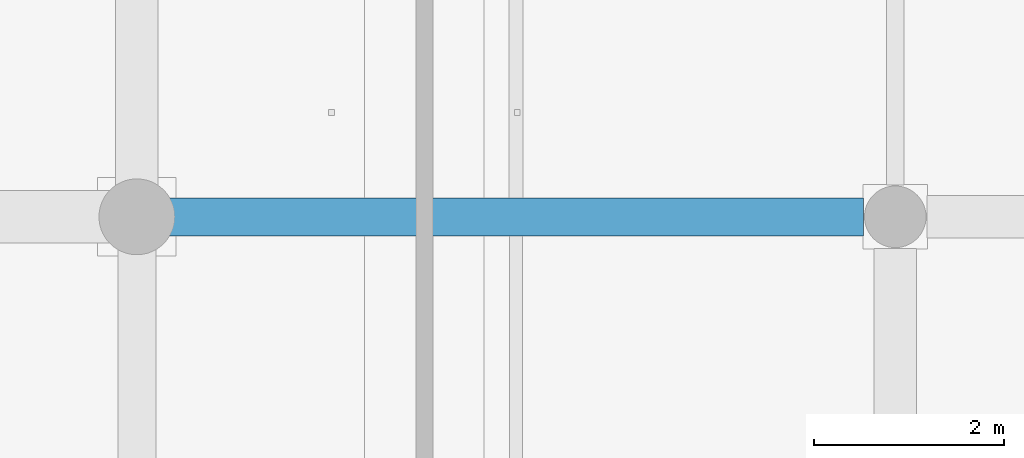
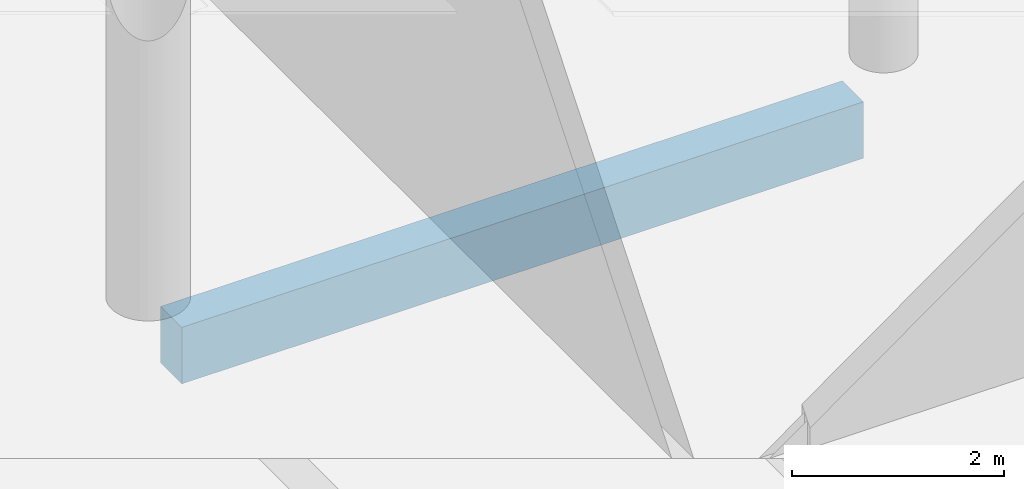
# One storey, part 36 of 126: 1 beam.
"""IFC4 building model written with IfcOpenShell, lengths in metres."""

import ifcopenshell
import ifcopenshell.guid

model = None  # the IFC model being written
_history = None  # IfcOwnerHistory: only IFC2X3 demands one
_inside = {}  # id of a spatial element -> (the spatial element, [elements in it])
_under = {}  # id of a project, library or spatial element -> (it, [spatial elements below it])
_declared = {}  # id of a project -> (the project, [libraries it declares])
_typed = {}  # id of a type object -> (the type object, [elements of that type])
_made_of = {}  # id of a material, layer set ... -> (it, [elements and type objects made of it])


def new_model(schema):
    """Start an empty IFC model of exactly this schema.

    Asked for "IFC4X3", IfcOpenShell would pick the latest addendum, in which some entities
    have other attributes; the version numbers below select the first issue.
    IFC2X3 requires an IfcOwnerHistory on every rooted entity: one is made here for all.
    """
    global model, _history
    if schema == "IFC4X3":
        model = ifcopenshell.file(schema_version=(4, 3, 0, 0))
    else:
        model = ifcopenshell.file(schema=schema)
    _inside.clear()
    _under.clear()
    _declared.clear()
    _typed.clear()
    _made_of.clear()
    _history = None
    if model.schema == "IFC2X3":
        org = make("IfcOrganization", Name="unknown")
        user = make(
            "IfcPersonAndOrganization",
            ThePerson=make("IfcPerson", FamilyName="unknown"),
            TheOrganization=org,
        )
        app = make(
            "IfcApplication",
            ApplicationDeveloper=org,
            Version="unknown",
            ApplicationFullName="unknown",
            ApplicationIdentifier="unknown",
        )
        _history = make(
            "IfcOwnerHistory",
            OwningUser=user,
            OwningApplication=app,
            ChangeAction="ADDED",
            CreationDate=0,
        )
    return model


def make(cls, **values):
    """One entity of the class cls with the attributes given. An attribute that is None is left unset."""
    return model.create_entity(
        cls, **{name: value for name, value in values.items() if value is not None}
    )


def rooted(cls, **values):
    """An entity with a GlobalId (a new one), such as an element, a storey or a relation."""
    return make(cls, GlobalId=ifcopenshell.guid.new(), OwnerHistory=_history, **values)


def si_unit(unit_type, name, prefix=None):
    """IfcSIUnit, for example si_unit("LENGTHUNIT", "METRE", prefix="MILLI")."""
    return make("IfcSIUnit", UnitType=unit_type, Prefix=prefix, Name=name)


def assignment(units):
    """IfcUnitAssignment: the units of a project."""
    return None if units is None else make("IfcUnitAssignment", Units=units)


def point(xyz):
    """IfcCartesianPoint."""
    return None if xyz is None else make("IfcCartesianPoint", Coordinates=xyz)


def direction(xyz):
    """IfcDirection."""
    return None if xyz is None else make("IfcDirection", DirectionRatios=xyz)


def frame(location, z_axis=None, x_axis=None):
    """IfcAxis2Placement3D, a coordinate frame: its origin and axes. An axis left out is left unset."""
    return make(
        "IfcAxis2Placement3D",
        Location=point(location),
        Axis=direction(z_axis),
        RefDirection=direction(x_axis),
    )


def frame_2d(location, x_axis=None):
    """IfcAxis2Placement2D, a coordinate frame in the plane: its origin and x axis."""
    return make(
        "IfcAxis2Placement2D", Location=point(location), RefDirection=direction(x_axis)
    )


def origin():
    """The frame at (0, 0, 0) with its axes left unset."""
    return frame((0.0, 0.0, 0.0))


def origin_2d():
    """The frame at (0, 0) in the plane with its x axis left unset."""
    return frame_2d((0.0, 0.0))


def place(relative_to, where):
    """IfcLocalPlacement: puts the frame where relative to a parent placement (None: the world)."""
    return make(
        "IfcLocalPlacement", PlacementRelTo=relative_to, RelativePlacement=where
    )


def context(
    kind, dimensions, precision=None, world=None, true_north=None, identifier=None
):
    """IfcGeometricRepresentationContext, for example the 3D "Model" context."""
    return make(
        "IfcGeometricRepresentationContext",
        ContextIdentifier=identifier,
        ContextType=kind,
        CoordinateSpaceDimension=dimensions,
        Precision=precision,
        WorldCoordinateSystem=world,
        TrueNorth=true_north,
    )


def subcontext(parent, identifier, kind, view, scale=None):
    """IfcGeometricRepresentationSubContext, for example "Body" below "Model"."""
    return make(
        "IfcGeometricRepresentationSubContext",
        ContextIdentifier=identifier,
        ContextType=kind,
        ParentContext=parent,
        TargetScale=scale,
        TargetView=view,
    )


def project(units=None, contexts=None):
    """IfcProject with its units and contexts."""
    return rooted(
        "IfcProject",
        Name="project",
        RepresentationContexts=contexts,
        UnitsInContext=assignment(units),
    )


def spatial(cls, under=None, at=None, **own):
    """A site, building, storey or space (cls), placed at a placement, below another one or the project."""
    s = rooted(cls, ObjectPlacement=at, **own)
    if under is not None:
        _under.setdefault(under.id(), (under, []))[1].append(s)
    return s


def profile(cls, at=None, kind="AREA", **sizes):
    """A parametric profile (cls). Its sizes go by their IFC names, for example OverallWidth=200.0."""
    return make(cls, ProfileType=kind, Position=at, **sizes)


def rectangle(**sizes):
    """IfcRectangleProfileDef."""
    return profile("IfcRectangleProfileDef", **sizes)


def extrude(swept, where, along, depth):
    """IfcExtrudedAreaSolid: the profile swept, set in the frame where, extruded along a direction by depth."""
    return make(
        "IfcExtrudedAreaSolid",
        SweptArea=swept,
        Position=where,
        ExtrudedDirection=direction(along),
        Depth=depth,
    )


def shape(context_of_items, identifier, shape_type, items):
    """IfcShapeRepresentation: the items that make up one representation, for example the "Body"."""
    return make(
        "IfcShapeRepresentation",
        ContextOfItems=context_of_items,
        RepresentationIdentifier=identifier,
        RepresentationType=shape_type,
        Items=items,
    )


def material(Name=None, Category=None):
    """IfcMaterial."""
    return make("IfcMaterial", Name=Name, Category=Category)


def material_profile(
    of_material, cross_section, Name=None, Category=None, Priority=None
):
    """IfcMaterialProfile: a cross section and its material."""
    return make(
        "IfcMaterialProfile",
        Name=Name,
        Material=of_material,
        Profile=cross_section,
        Priority=Priority,
        Category=Category,
    )


def profile_set(profiles, Name=None, composite=None):
    """IfcMaterialProfileSet."""
    return make(
        "IfcMaterialProfileSet",
        Name=Name,
        MaterialProfiles=profiles,
        CompositeProfile=composite,
    )


def made_of(thing, what):
    """Note that an element or type object is made of a material, layer set ...; save() writes the relation."""
    if what is not None:
        _made_of.setdefault(what.id(), (what, []))[1].append(thing)
    return thing


def type_object(cls, material=None, **own):
    """A type object (cls), such as IfcWallType, which elements share."""
    return made_of(rooted(cls, **own), material)


def element(
    cls,
    number,
    at=None,
    inside=None,
    cuts=None,
    type_object=None,
    material=None,
    context=None,
    identifier="Body",
    shape_type=None,
    held_by="IfcProductDefinitionShape",
    body=None,
    shapes=None,
    **own,
):
    """One element of the class cls, such as IfcWall. Its Tag is "e" and its number.

    at: its placement. inside: the storey or other place that contains it. cuts: it is an
    opening in that element (IfcRelVoidsElement). A single representation is given by context,
    identifier, shape_type and body (its items); several are given by shapes. held_by: the class
    of the entity that holds the representations. save() writes the other relations.
    """
    e = rooted(cls, Tag="e%d" % number, ObjectPlacement=at, **own)
    if body is not None:
        shapes = [shape(context, identifier, shape_type, body)]
    if shapes is not None:
        e.Representation = make(held_by, Representations=shapes)
    if inside is not None:
        _inside.setdefault(inside.id(), (inside, []))[1].append(e)
    if cuts is not None:
        rooted(
            "IfcRelVoidsElement", RelatingBuildingElement=cuts, RelatedOpeningElement=e
        )
    if type_object is not None:
        _typed.setdefault(type_object.id(), (type_object, []))[1].append(e)
    return made_of(e, material)


def aggregate(whole, parts):
    """IfcRelAggregates: a whole, such as a stair, and the parts it consists of."""
    return rooted("IfcRelAggregates", RelatingObject=whole, RelatedObjects=parts)


def save(model, path):
    """Write the relations noted so far, then the file.

    IfcRelAggregates (storeys below a building ...), IfcRelContainedInSpatialStructure (elements
    in a storey), IfcRelDefinesByType, IfcRelAssociatesMaterial and IfcRelDeclares: one each for
    every whole, place, type object, material and project.
    """
    for whole, parts in _under.values():
        aggregate(whole, parts)
    for where, things in _inside.values():
        rooted(
            "IfcRelContainedInSpatialStructure",
            RelatedElements=things,
            RelatingStructure=where,
        )
    for kind, things in _typed.values():
        rooted("IfcRelDefinesByType", RelatedObjects=things, RelatingType=kind)
    for what, things in _made_of.values():
        rooted("IfcRelAssociatesMaterial", RelatedObjects=things, RelatingMaterial=what)
    for by, libraries in _declared.values():
        rooted("IfcRelDeclares", RelatingContext=by, RelatedDefinitions=libraries)
    model.write(path)


model = new_model("IFC4")

# Units and contexts
model_context = context("Model", 3, precision=1e-05, world=origin(), true_north=direction((0.0, 1.0)))
body_context = subcontext(model_context, "Body", "Model", "MODEL_VIEW")
ifc_project = project(units=[si_unit("LENGTHUNIT", "METRE"), si_unit("AREAUNIT", "SQUARE_METRE"), si_unit("VOLUMEUNIT", "CUBIC_METRE"), si_unit("PLANEANGLEUNIT", "RADIAN"), si_unit("MASSUNIT", "GRAM", prefix="KILO")], contexts=[model_context])

# Site, building, storey
site_placement = place(None, origin())
site = spatial("IfcSite", under=ifc_project, at=site_placement, CompositionType="ELEMENT")
building_placement = place(site_placement, origin())
building = spatial("IfcBuilding", under=site, at=building_placement, Name="Khelvaren Railside Concert Hall", CompositionType="ELEMENT")
storey_placement = place(building_placement, origin())
storey = spatial("IfcBuildingStorey", under=building, at=storey_placement, Name="L00", CompositionType="ELEMENT", Elevation=0.0)

# Beam
ifc_material = material(Name="Concrete C40/50", Category="concrete")
ifc_material_profile = material_profile(ifc_material, rectangle(XDim=0.39990234375, YDim=0.64990234375, at=origin_2d()), Name="RCB 400x650")
ifc_profile_set = profile_set([ifc_material_profile], Name="Concrete C40/50")
beam_type = type_object("IfcBeamType", Name="BM33", PredefinedType="BEAM", material=ifc_profile_set)
beam_placement = place(storey_placement, frame((152.25, 30.39990234375, -0.64501953125), z_axis=(1.0, 0.0, 0.0), x_axis=(0.0, 1.0, 0.0)))
element("IfcBeam", 1, at=beam_placement, inside=storey, type_object=beam_type, Name="V2 L00 Beam X5.2", PredefinedType="BEAM", context=body_context, shape_type="SweptSolid", body=[
    extrude(rectangle(XDim=0.39990234375, YDim=0.64990234375, at=origin_2d()), origin(), (0.0, 0.0, 1.0), 7.4140625),
])

save(model, "model.ifc")
